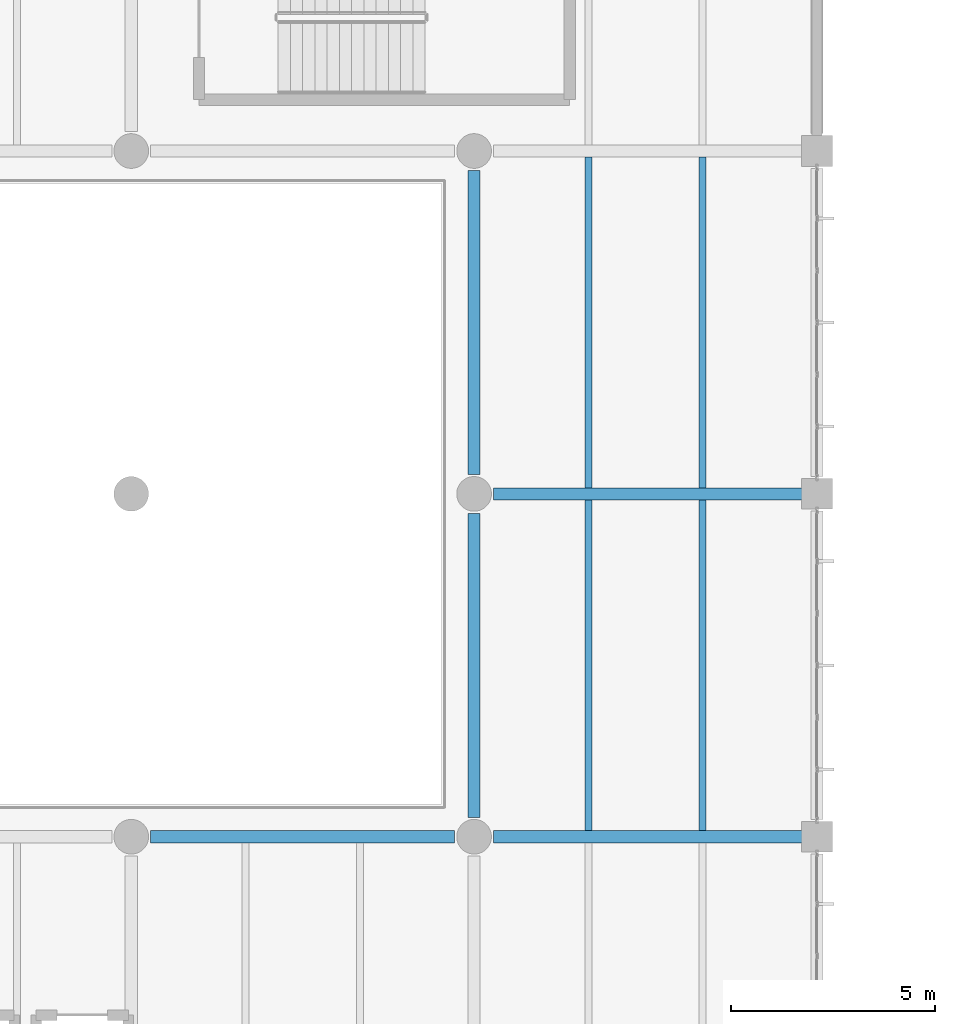
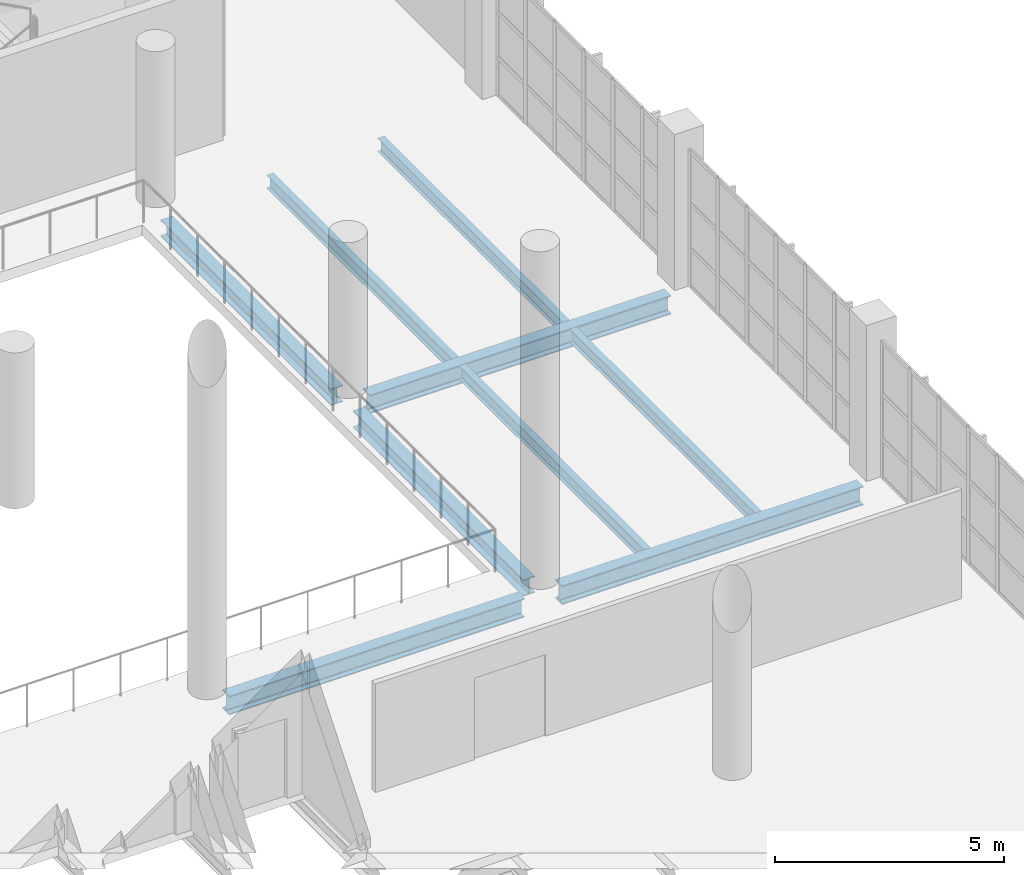
# One storey, part 53 of 177: 9 beams.
"""IFC4 building model written with IfcOpenShell, lengths in metres."""

from ifc_helpers import new_model, si_unit, direction, frame, origin, origin_2d, place, context, subcontext, project, spatial, i_section, extrude, material, material_profile, profile_set, type_object, element, save


model = new_model("IFC4")

# Units and contexts
model_context = context("Model", 3, precision=1e-05, world=origin(), true_north=direction((0.0, 1.0)))
body_context = subcontext(model_context, "Body", "Model", "MODEL_VIEW")
ifc_project = project(units=[si_unit("LENGTHUNIT", "METRE"), si_unit("AREAUNIT", "SQUARE_METRE"), si_unit("VOLUMEUNIT", "CUBIC_METRE"), si_unit("PLANEANGLEUNIT", "RADIAN"), si_unit("MASSUNIT", "GRAM", prefix="KILO"), si_unit("THERMODYNAMICTEMPERATUREUNIT", "KELVIN"), si_unit("POWERUNIT", "WATT")], contexts=[model_context])

# Site, building, storey
site_placement = place(None, origin())
site = spatial("IfcSite", under=ifc_project, at=site_placement, CompositionType="ELEMENT")
building_placement = place(site_placement, origin())
building = spatial("IfcBuilding", under=site, at=building_placement, Name="Mavoryth Pier Ferry Terminal", CompositionType="ELEMENT")
storey_placement = place(building_placement, frame((0.0, 0.0, 5.43994140625)))
storey = spatial("IfcBuildingStorey", under=building, at=storey_placement, Name="L01", CompositionType="ELEMENT", Elevation=5.43994140625)

# Beams
ifc_material = material(Name="Steel S355J2", Category="steel")
ifc_material_profile_1 = material_profile(ifc_material, i_section(OverallWidth=0.300048828125, OverallDepth=0.43994140625, WebThickness=0.011474609375, FlangeThickness=0.02099609375, FilletRadius=0.027099609375, at=origin_2d()), Name="HEA 450", Category="steel")
ifc_profile_set_1 = profile_set([ifc_material_profile_1], Name="Steel S355J2 - HEA 450")
beam_type_1 = type_object("IfcBeamType", Name="Beam-Steel-HEA450", PredefinedType="BEAM", material=ifc_profile_set_1)
for number, where, z_axis, x_axis, name in (
    (1, (25.199951171875, 64.47509765625, -0.5), (0.0, 1.0, 0.0), (-1.0, 0.0, 0.0), "Beam B01-SB03-0099"),
    (2, (25.199951171875, 72.875, -0.5), (0.0, 1.0, 0.0), (-1.0, 0.0, 0.0), "Beam B01-SB03-0100"),
):
    element("IfcBeam", number, at=place(storey_placement, frame(where, z_axis=z_axis, x_axis=x_axis)), inside=storey, type_object=beam_type_1, Name=name, PredefinedType="BEAM", context=body_context, shape_type="SweptSolid", body=[
        extrude(i_section(OverallWidth=0.300048828125, OverallDepth=0.43994140625, WebThickness=0.011474609375, FlangeThickness=0.02099609375, FilletRadius=0.027099609375, at=origin_2d()), origin(), (0.0, 0.0, 1.0), 7.449951171875),
    ])
ifc_material_profile_2 = material_profile(ifc_material, i_section(OverallWidth=0.300048828125, OverallDepth=0.5, WebThickness=0.014404296875, FlangeThickness=0.028076171875, FilletRadius=0.027099609375, at=origin_2d()), Name="HEB 500", Category="steel")
ifc_profile_set_2 = profile_set([ifc_material_profile_2], Name="Steel S355J2 - HEB 500")
beam_type_2 = type_object("IfcBeamType", Name="Beam-Steel-HEB500", PredefinedType="BEAM", material=ifc_profile_set_2)
beam_placement = place(storey_placement, frame((17.27490234375, 64.0, -0.530029296875), z_axis=(1.0, 0.0, 0.0), x_axis=(0.0, 1.0, 0.0)))
element("IfcBeam", 3, at=beam_placement, inside=storey, type_object=beam_type_2, Name="Beam B01-SB01-0058", PredefinedType="BEAM", context=body_context, shape_type="SweptSolid", body=[
    extrude(i_section(OverallWidth=0.300048828125, OverallDepth=0.5, WebThickness=0.014404296875, FlangeThickness=0.028076171875, FilletRadius=0.027099609375, at=origin_2d()), origin(), (0.0, 0.0, 1.0), 7.4501953125),
])
for number, where, z_axis, x_axis, name in (
    (4, (25.675048828125, 64.0, -0.530029296875), (1.0, 0.0, 0.0), (0.0, 1.0, 0.0), "Beam B01-SB01-0059"),
    (5, (25.675048828125, 72.39990234375, -0.530029296875), (1.0, 0.0, 0.0), (0.0, 1.0, 0.0), "Beam B01-SB01-0061"),
):
    element("IfcBeam", number, at=place(storey_placement, frame(where, z_axis=z_axis, x_axis=x_axis)), inside=storey, type_object=beam_type_2, Name=name, PredefinedType="BEAM", context=body_context, shape_type="SweptSolid", body=[
        extrude(i_section(OverallWidth=0.300048828125, OverallDepth=0.5, WebThickness=0.014404296875, FlangeThickness=0.028076171875, FilletRadius=0.027099609375, at=origin_2d()), origin(), (0.0, 0.0, 1.0), 7.599853515625),
    ])
ifc_material_profile_3 = material_profile(ifc_material, i_section(OverallWidth=0.169921875, OverallDepth=0.360107421875, WebThickness=0.008056640625, FlangeThickness=0.0126953125, FilletRadius=0.01806640625, at=origin_2d()), Name="IPE 360", Category="steel")
ifc_profile_set_3 = profile_set([ifc_material_profile_3], Name="Steel S355J2 - IPE 360")
beam_type_3 = type_object("IfcBeamType", Name="Joist-Steel-IPE360", PredefinedType="JOIST", material=ifc_profile_set_3)
for number, where, z_axis, x_axis, name in (
    (6, (28.0, 64.14990234375, -0.4599609375), (0.0, 1.0, 0.0), (-1.0, 0.0, 0.0), "Beam B01-SJ02-0139"),
    (7, (30.800048828125, 64.14990234375, -0.4599609375), (0.0, 1.0, 0.0), (-1.0, 0.0, 0.0), "Beam B01-SJ02-0140"),
):
    element("IfcBeam", number, at=place(storey_placement, frame(where, z_axis=z_axis, x_axis=x_axis)), inside=storey, type_object=beam_type_3, Name=name, PredefinedType="JOIST", context=body_context, shape_type="SweptSolid", body=[
        extrude(i_section(OverallWidth=0.169921875, OverallDepth=0.360107421875, WebThickness=0.008056640625, FlangeThickness=0.0126953125, FilletRadius=0.01806640625, at=origin_2d()), origin(), (0.0, 0.0, 1.0), 8.10009765625),
    ])
for number, where, z_axis, x_axis, name in (
    (8, (28.0, 72.550048828125, -0.4599609375), (0.0, 1.0, 0.0), (-1.0, 0.0, 0.0), "Beam B01-SJ02-0141"),
    (9, (30.800048828125, 72.550048828125, -0.4599609375), (0.0, 1.0, 0.0), (-1.0, 0.0, 0.0), "Beam B01-SJ02-0142"),
):
    element("IfcBeam", number, at=place(storey_placement, frame(where, z_axis=z_axis, x_axis=x_axis)), inside=storey, type_object=beam_type_3, Name=name, PredefinedType="JOIST", context=body_context, shape_type="SweptSolid", body=[
        extrude(i_section(OverallWidth=0.169921875, OverallDepth=0.360107421875, WebThickness=0.008056640625, FlangeThickness=0.0126953125, FilletRadius=0.01806640625, at=origin_2d()), origin(), (0.0, 0.0, 1.0), 8.099853515625),
    ])

save(model, "model.ifc")
